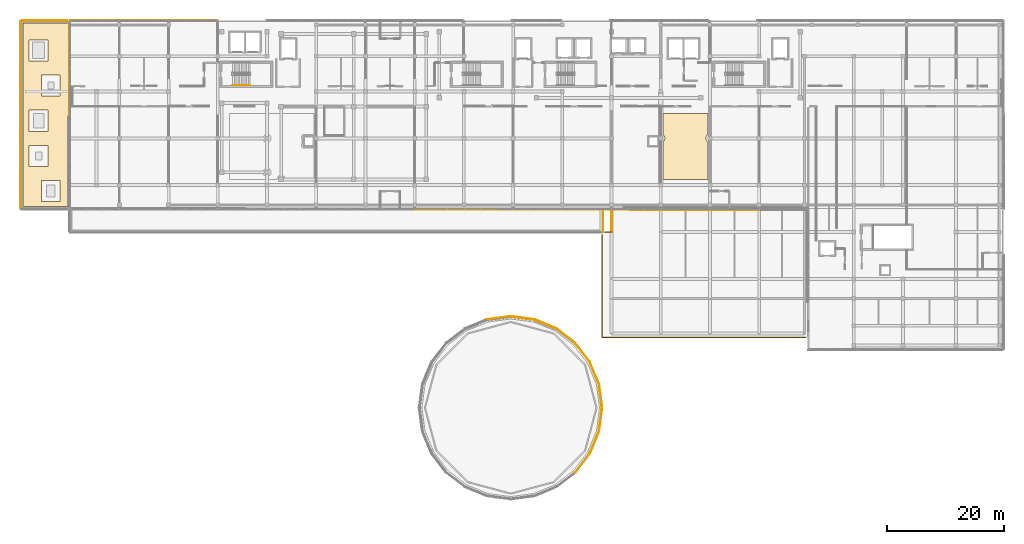
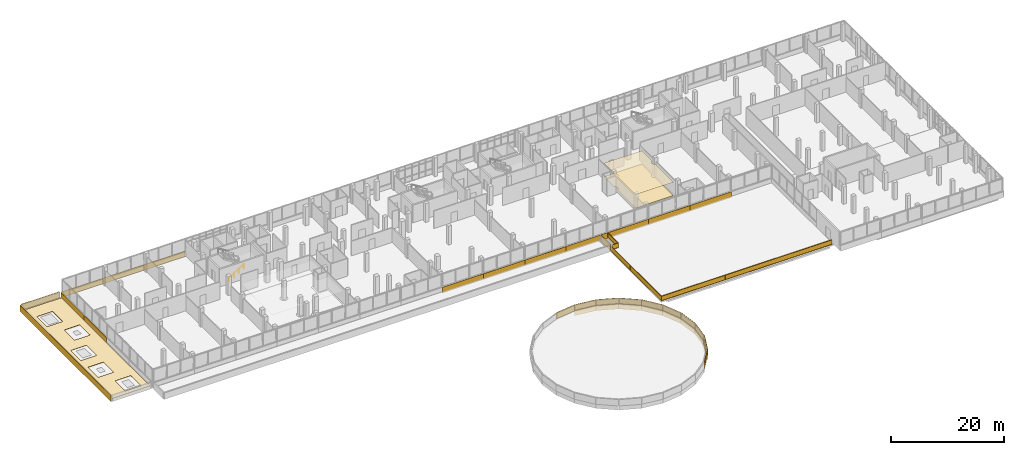
# One storey, part 74 of 78: 36 coverings, 4 railings.
"""IFC4 building model written with IfcOpenShell, lengths in metres."""

from ifc_helpers import new_model, si_unit, direction, frame, origin, origin_2d, place, context, subcontext, project, spatial, polyline, rectangle, circle, outline, extrude, material, layer, layer_set, type_object, element, save


model = new_model("IFC4")

# Units and contexts
model_context = context("Model", 3, precision=1e-05, world=origin(), true_north=direction((0.0, 1.0)))
body_context = subcontext(model_context, "Body", "Model", "MODEL_VIEW")
ifc_project = project(units=[si_unit("LENGTHUNIT", "METRE"), si_unit("AREAUNIT", "SQUARE_METRE"), si_unit("VOLUMEUNIT", "CUBIC_METRE"), si_unit("PLANEANGLEUNIT", "RADIAN"), si_unit("MASSUNIT", "GRAM", prefix="KILO")], contexts=[model_context])

# Site, building, storey
site_placement = place(None, origin())
site = spatial("IfcSite", under=ifc_project, at=site_placement, CompositionType="ELEMENT")
building_placement = place(site_placement, origin())
building = spatial("IfcBuilding", under=site, at=building_placement, Name="Selatvlak General Hospital", CompositionType="ELEMENT")
storey_placement = place(building_placement, frame((0.0, 0.0, 23.25)))
storey = spatial("IfcBuildingStorey", under=building, at=storey_placement, Name="L05", CompositionType="ELEMENT", Elevation=23.25)

# Coverings
ifc_material_1 = material(Name="Acoustic mineral fibre ceiling tile")
ifc_layer_1 = layer(ifc_material_1, 0.02490234375, Name="Acoustic mineral fibre ceiling tile")
ifc_layer_set_1 = layer_set([ifc_layer_1], Name="Acoustic mineral fibre ceiling tile")
covering_type_1 = type_object("IfcCoveringType", Name="COV-CEIL1", PredefinedType="CEILING", material=ifc_layer_set_1)
covering_1_placement = place(storey_placement, frame((0.0, 0.0, 2.875)))
element("IfcCovering", 1, at=covering_1_placement, inside=storey, type_object=covering_type_1, Name="L05 clinical acoustic ceiling 012", PredefinedType="CEILING", context=body_context, shape_type="SweptSolid", body=[
    extrude(outline(polyline([(131.64990234375, 104.199951171875), (131.64990234375, 100.60498046875), (131.611083984375, 100.58203125), (131.555908203125, 100.541015625), (131.5048828125, 100.4951171875), (131.458984375, 100.444091796875), (131.41796875, 100.388916015625), (131.383056640625, 100.330078125), (131.35302734375, 100.26806640625), (131.330078125, 100.202880859375), (131.31298828125, 100.136962890625), (131.302978515625, 100.069091796875), (131.300048828125, 100.0), (131.302978515625, 99.930908203125), (131.31298828125, 99.863037109375), (131.330078125, 99.797119140625), (131.35302734375, 99.73193359375), (131.383056640625, 99.669921875), (131.41796875, 99.611083984375), (131.458984375, 99.555908203125), (131.5048828125, 99.5048828125), (131.555908203125, 99.458984375), (131.611083984375, 99.41796875), (131.64990234375, 99.39501953125), (131.64990234375, 93.0), (123.949951171875, 93.0), (123.949951171875, 99.39501953125), (123.989013671875, 99.41796875), (124.0439453125, 99.458984375), (124.094970703125, 99.5048828125), (124.14111328125, 99.555908203125), (124.181884765625, 99.611083984375), (124.217041015625, 99.669921875), (124.2470703125, 99.73193359375), (124.27001953125, 99.797119140625), (124.287109375, 99.863037109375), (124.297119140625, 99.930908203125), (124.300048828125, 100.0), (124.297119140625, 100.069091796875), (124.287109375, 100.136962890625), (124.27001953125, 100.202880859375), (124.2470703125, 100.26806640625), (124.217041015625, 100.330078125), (124.181884765625, 100.388916015625), (124.14111328125, 100.444091796875), (124.094970703125, 100.4951171875), (124.0439453125, 100.541015625), (123.989013671875, 100.58203125), (123.949951171875, 100.60498046875), (123.949951171875, 104.199951171875), (131.64990234375, 104.199951171875)])), origin(), (0.0, 0.0, 1.0), 0.02490234375),
])
ifc_material_2 = material(Name="Homogeneous anti-static hospital vinyl flooring")
ifc_layer_2 = layer(ifc_material_2, 0.014892578125, Name="Homogeneous anti-static hospital vinyl flooring")
ifc_layer_set_2 = layer_set([ifc_layer_2], Name="Homogeneous anti-static hospital vinyl flooring")
covering_type_2 = type_object("IfcCoveringType", Name="COV-FLR1", PredefinedType="FLOORING", material=ifc_layer_set_2)
covering_2_placement = place(storey_placement, origin())
element("IfcCovering", 2, at=covering_2_placement, inside=storey, type_object=covering_type_2, Name="L05 seamless vinyl flooring 012", PredefinedType="FLOORING", context=body_context, shape_type="SweptSolid", body=[
    extrude(outline(polyline([(131.64990234375, 104.199951171875), (131.64990234375, 100.60498046875), (131.611083984375, 100.58203125), (131.555908203125, 100.541015625), (131.5048828125, 100.4951171875), (131.458984375, 100.444091796875), (131.41796875, 100.388916015625), (131.383056640625, 100.330078125), (131.35302734375, 100.26806640625), (131.330078125, 100.202880859375), (131.31298828125, 100.136962890625), (131.302978515625, 100.069091796875), (131.300048828125, 100.0), (131.302978515625, 99.930908203125), (131.31298828125, 99.863037109375), (131.330078125, 99.797119140625), (131.35302734375, 99.73193359375), (131.383056640625, 99.669921875), (131.41796875, 99.611083984375), (131.458984375, 99.555908203125), (131.5048828125, 99.5048828125), (131.555908203125, 99.458984375), (131.611083984375, 99.41796875), (131.64990234375, 99.39501953125), (131.64990234375, 93.0), (123.949951171875, 93.0), (123.949951171875, 99.39501953125), (123.989013671875, 99.41796875), (124.0439453125, 99.458984375), (124.094970703125, 99.5048828125), (124.14111328125, 99.555908203125), (124.181884765625, 99.611083984375), (124.217041015625, 99.669921875), (124.2470703125, 99.73193359375), (124.27001953125, 99.797119140625), (124.287109375, 99.863037109375), (124.297119140625, 99.930908203125), (124.300048828125, 100.0), (124.297119140625, 100.069091796875), (124.287109375, 100.136962890625), (124.27001953125, 100.202880859375), (124.2470703125, 100.26806640625), (124.217041015625, 100.330078125), (124.181884765625, 100.388916015625), (124.14111328125, 100.444091796875), (124.094970703125, 100.4951171875), (124.0439453125, 100.541015625), (123.989013671875, 100.58203125), (123.949951171875, 100.60498046875), (123.949951171875, 104.199951171875), (131.64990234375, 104.199951171875)])), origin(), (0.0, 0.0, 1.0), 0.014892578125),
])
ifc_material_3 = material(Name="Insulated TPO roofing membrane")
ifc_layer_3 = layer(ifc_material_3, 0.06005859375, Name="Insulated TPO roofing membrane")
ifc_layer_set_3 = layer_set([ifc_layer_3], Name="Insulated TPO roofing membrane")
covering_type_3 = type_object("IfcCoveringType", Name="COV-RF1", PredefinedType="ROOFING", material=ifc_layer_set_3)
covering_3_placement = place(storey_placement, frame((0.0, 0.0, 0.050048828125)))
element("IfcCovering", 3, at=covering_3_placement, inside=storey, type_object=covering_type_3, Name="L05 insulated TPO roof membrane 05", PredefinedType="ROOFING", context=body_context, shape_type="SweptSolid", body=[
    extrude(outline(polyline([(14.75, 119.64990234375), (22.44189453125, 119.64990234375), (22.44189453125, 88.35009765625), (14.75, 88.35009765625), (14.75, 119.64990234375)]), holes=[polyline([(21.10009765625, 92.800048828125), (17.89990234375, 92.800048828125), (17.89990234375, 89.199951171875), (21.10009765625, 89.199951171875), (21.10009765625, 92.800048828125)]), polyline([(19.0, 95.199951171875), (19.0, 98.800048828125), (15.800048828125, 98.800048828125), (15.800048828125, 95.199951171875), (19.0, 95.199951171875)]), polyline([(15.800048828125, 101.199951171875), (19.0, 101.199951171875), (19.0, 104.800048828125), (15.800048828125, 104.800048828125), (15.800048828125, 101.199951171875)]), polyline([(17.89990234375, 110.800048828125), (17.89990234375, 107.199951171875), (21.10009765625, 107.199951171875), (21.10009765625, 110.800048828125), (17.89990234375, 110.800048828125)]), polyline([(19.0, 116.800048828125), (15.800048828125, 116.800048828125), (15.800048828125, 113.199951171875), (19.0, 113.199951171875), (19.0, 116.800048828125)])]), origin(), (0.0, 0.0, 1.0), 0.06005859375),
])
ifc_material_4 = material(Name="White Bauhaus fair-faced cladding panel")
ifc_layer_4 = layer(ifc_material_4, 0.054931640625, Name="White Bauhaus fair-faced cladding panel")
ifc_layer_set_4 = layer_set([ifc_layer_4], Name="White Bauhaus fair-faced cladding panel")
covering_type_4 = type_object("IfcCoveringType", Name="COV-WHT1", PredefinedType="CLADDING", material=ifc_layer_set_4)
for number, where, z_axis, x_axis, name in (
    (4, (113.27587890625, 51.989013671875, 0.199951171875), (0.0, 0.0, 1.0), (-0.130508888223, -0.991447139335, 0.0), "L05 Rotunda crown white cornice ring 0350"),
    (5, (112.235107421875, 48.10498046875, 0.199951171875), (0.0, 0.0, 1.0), (-0.382618932474, -0.923906246603, 0.0), "L05 Rotunda crown white cornice ring 0352"),
):
    element("IfcCovering", number, at=place(storey_placement, frame(where, z_axis=z_axis, x_axis=x_axis)), inside=storey, type_object=covering_type_4, Name=name, PredefinedType="CLADDING", context=body_context, shape_type="SweptSolid", body=[
        extrude(rectangle(XDim=4.0458984375, YDim=0.054931640625, at=origin_2d()), origin(), (0.0, 0.0, 1.0), 1.14990234375),
    ])
covering_4_placement = place(storey_placement, frame((100.010009765625, 69.27587890625, 0.199951171875), z_axis=(0.0, 0.0, 1.0), x_axis=(0.99145169435, -0.13047428011, 0.0)))
element("IfcCovering", 6, at=covering_4_placement, inside=storey, type_object=covering_type_4, Name="L05 Rotunda crown white cornice ring 0386", PredefinedType="CLADDING", context=body_context, shape_type="SweptSolid", body=[
    extrude(rectangle(XDim=4.047119140625, YDim=0.054931640625, at=origin_2d()), origin(), (0.0, 0.0, 1.0), 1.14990234375),
])
for number, where, z_axis, x_axis, name in (
    (7, (103.89501953125, 68.235107421875, 0.199951171875), (0.0, 0.0, 1.0), (0.923906246603, -0.382618932474, 0.0), "L05 Rotunda crown white cornice ring 0388"),
    (8, (107.3779296875, 66.22412109375, 0.199951171875), (0.0, 0.0, 1.0), (0.793363965062, -0.608747582288, 0.0), "L05 Rotunda crown white cornice ring 0390"),
    (9, (110.221923828125, 63.3798828125, 0.199951171875), (0.0, 0.0, 1.0), (0.608747582288, -0.793363965062, 0.0), "L05 Rotunda crown white cornice ring 0392"),
    (10, (112.23291015625, 59.89697265625, 0.199951171875), (0.0, 0.0, 1.0), (0.382828550301, -0.923819409341, 0.0), "L05 Rotunda crown white cornice ring 0394"),
):
    element("IfcCovering", number, at=place(storey_placement, frame(where, z_axis=z_axis, x_axis=x_axis)), inside=storey, type_object=covering_type_4, Name=name, PredefinedType="CLADDING", context=body_context, shape_type="SweptSolid", body=[
        extrude(rectangle(XDim=4.0458984375, YDim=0.054931640625, at=origin_2d()), origin(), (0.0, 0.0, 1.0), 1.14990234375),
    ])
covering_5_placement = place(storey_placement, frame((113.27490234375, 56.011962890625, 0.199951171875), z_axis=(0.0, 0.0, 1.0), x_axis=(0.130699230003, -0.991422065155, 0.0)))
element("IfcCovering", 11, at=covering_5_placement, inside=storey, type_object=covering_type_4, Name="L05 Rotunda crown white cornice ring 0396", PredefinedType="CLADDING", context=body_context, shape_type="SweptSolid", body=[
    extrude(rectangle(XDim=4.048095703125, YDim=0.054931640625, at=origin_2d()), origin(), (0.0, 0.0, 1.0), 1.14990234375),
])
for number, where, z_axis, x_axis, name in (
    (12, (22.635009765625, 107.9990234375, -0.27978515625), (0.0, 0.0, 1.0), (0.0, 1.0, 0.0), "L05 Bauhaus horizontal white spandrel band 0399"),
    (13, (22.635009765625, 115.9990234375, -0.27978515625), (0.0, 0.0, 1.0), (0.0, 1.0, 0.0), "L05 Bauhaus horizontal white spandrel band 0400"),
):
    element("IfcCovering", number, at=place(storey_placement, frame(where, z_axis=z_axis, x_axis=x_axis)), inside=storey, type_object=covering_type_4, Name=name, PredefinedType="CLADDING", context=body_context, shape_type="SweptSolid", body=[
        extrude(rectangle(XDim=8.0, YDim=0.054931640625, at=origin_2d()), origin(), (0.0, 0.0, 1.0), 1.219970703125),
    ])
for number, where, z_axis, x_axis, name in (
    (14, (26.989013671875, 120.1640625, -0.27978515625), (0.0, 0.0, 1.0), (1.0, 0.0, 0.0), "L05 Bauhaus horizontal white spandrel band 0401"),
    (15, (35.367919921875, 120.1640625, -0.27978515625), (0.0, 0.0, 1.0), (1.0, 0.0, 0.0), "L05 Bauhaus horizontal white spandrel band 0402"),
    (16, (43.748046875, 120.1640625, -0.27978515625), (0.0, 0.0, 1.0), (1.0, 0.0, 0.0), "L05 Bauhaus horizontal white spandrel band 0403"),
):
    element("IfcCovering", number, at=place(storey_placement, frame(where, z_axis=z_axis, x_axis=x_axis)), inside=storey, type_object=covering_type_4, Name=name, PredefinedType="CLADDING", context=body_context, shape_type="SweptSolid", body=[
        extrude(rectangle(XDim=8.37890625, YDim=0.054931640625, at=origin_2d()), origin(), (0.0, 0.0, 1.0), 1.219970703125),
    ])
for number, where, z_axis, x_axis, name in (
    (17, (136.199951171875, 87.781005859375, -0.27978515625), (0.0, 0.0, 1.0), (-0.999999888967, 0.000471238881, 0.0), "L05 Bauhaus horizontal white spandrel band 0434"),
    (18, (127.800048828125, 87.784912109375, -0.27978515625), (0.0, 0.0, 1.0), (-0.999999888967, 0.000471238881, 0.0), "L05 Bauhaus horizontal white spandrel band 0435"),
    (19, (119.39990234375, 87.7890625, -0.27978515625), (0.0, 0.0, 1.0), (-0.999999888967, 0.000471238881, 0.0), "L05 Bauhaus horizontal white spandrel band 0436"),
    (20, (111.0, 87.79296875, -0.27978515625), (0.0, 0.0, 1.0), (-0.999999888967, 0.000471238881, 0.0), "L05 Bauhaus horizontal white spandrel band 0437"),
    (21, (102.60009765625, 87.797119140625, -0.27978515625), (0.0, 0.0, 1.0), (-0.999999888967, 0.000471238881, 0.0), "L05 Bauhaus horizontal white spandrel band 0438"),
    (22, (94.199951171875, 87.801025390625, -0.27978515625), (0.0, 0.0, 1.0), (-0.999999888967, 0.000471238881, 0.0), "L05 Bauhaus horizontal white spandrel band 0439"),
    (23, (85.800048828125, 87.804931640625, -0.27978515625), (0.0, 0.0, 1.0), (-0.999999888967, 0.000471238881, 0.0), "L05 Bauhaus horizontal white spandrel band 0440"),
):
    element("IfcCovering", number, at=place(storey_placement, frame(where, z_axis=z_axis, x_axis=x_axis)), inside=storey, type_object=covering_type_4, Name=name, PredefinedType="CLADDING", context=body_context, shape_type="SweptSolid", body=[
        extrude(rectangle(XDim=8.39990234375, YDim=0.054931640625, at=origin_2d()), origin(), (0.0, 0.0, 1.0), 1.219970703125),
    ])
covering_6_placement = place(storey_placement, frame((14.264892578125, 104.0, -0.170166015625), z_axis=(0.0, 0.0, 1.0), x_axis=(0.0, 1.0, 0.0)))
element("IfcCovering", 24, at=covering_6_placement, inside=storey, type_object=covering_type_4, Name="L05 Roof parapet white Bauhaus coping 0646", PredefinedType="CLADDING", context=body_context, shape_type="SweptSolid", body=[
    extrude(rectangle(XDim=32.0, YDim=0.054931640625, at=origin_2d()), origin(), (0.0, 0.0, 1.0), 1.3701171875),
])
covering_7_placement = place(storey_placement, frame((18.429931640625, 120.125, -0.170166015625), z_axis=(0.0, 0.0, 1.0), x_axis=(1.0, 0.0, 0.0)))
element("IfcCovering", 25, at=covering_7_placement, inside=storey, type_object=covering_type_4, Name="L05 Roof parapet white Bauhaus coping 0647", PredefinedType="CLADDING", context=body_context, shape_type="SweptSolid", body=[
    extrude(rectangle(XDim=7.822998046875, YDim=0.054931640625, at=origin_2d()), origin(), (0.0, 0.0, 1.0), 1.3701171875),
])
covering_8_placement = place(storey_placement, frame((113.719970703125, 85.739013671875, -0.170166015625), z_axis=(0.0, 0.0, 1.0), x_axis=(0.0, -1.0, 0.0)))
element("IfcCovering", 26, at=covering_8_placement, inside=storey, type_object=covering_type_4, Name="L05 Roof parapet white Bauhaus coping 0649", PredefinedType="CLADDING", context=body_context, shape_type="SweptSolid", body=[
    extrude(rectangle(XDim=3.47705078125, YDim=0.054931640625, at=origin_2d()), origin(), (0.0, 0.0, 1.0), 1.3701171875),
])
covering_9_placement = place(storey_placement, frame((113.3701171875, 56.02392578125, 1.1298828125), z_axis=(0.0, 0.0, 1.0), x_axis=(-0.13047428011, 0.99145169435, 0.0)))
element("IfcCovering", 27, at=covering_9_placement, inside=storey, type_object=covering_type_4, Name="L05 Roof parapet white Bauhaus coping 0656", PredefinedType="CLADDING", context=body_context, shape_type="SweptSolid", body=[
    extrude(rectangle(XDim=4.047119140625, YDim=0.054931640625, at=origin_2d()), origin(), (0.0, 0.0, 1.0), 1.3701171875),
])
for number, where, z_axis, x_axis, name in (
    (28, (112.31298828125, 59.928955078125, 1.1298828125), (0.0, 0.0, 1.0), (-0.382828550301, 0.923819409341, 0.0), "L05 Roof parapet white Bauhaus coping 0657"),
    (29, (110.299072265625, 63.43701171875, 1.1298828125), (0.0, 0.0, 1.0), (-0.608747582288, 0.793363965062, 0.0), "L05 Roof parapet white Bauhaus coping 0658"),
    (30, (107.430908203125, 66.291015625, 1.1298828125), (0.0, 0.0, 1.0), (-0.793363965062, 0.608747582288, 0.0), "L05 Roof parapet white Bauhaus coping 0659"),
    (31, (103.93310546875, 68.322021484375, 1.1298828125), (0.0, 0.0, 1.0), (-0.923819409341, 0.382828550301, 0.0), "L05 Roof parapet white Bauhaus coping 0660"),
):
    element("IfcCovering", number, at=place(storey_placement, frame(where, z_axis=z_axis, x_axis=x_axis)), inside=storey, type_object=covering_type_4, Name=name, PredefinedType="CLADDING", context=body_context, shape_type="SweptSolid", body=[
        extrude(rectangle(XDim=4.0458984375, YDim=0.054931640625, at=origin_2d()), origin(), (0.0, 0.0, 1.0), 1.3701171875),
    ])
for number, where, z_axis, x_axis, name in (
    (32, (100.02197265625, 69.360107421875, 1.1298828125), (0.0, 0.0, 1.0), (-0.99145169435, 0.13047428011, 0.0), "L05 Roof parapet white Bauhaus coping 0661"),
    (33, (95.97607421875, 69.3701171875, 1.1298828125), (0.0, 0.0, 1.0), (-0.99145169435, -0.13047428011, 0.0), "L05 Roof parapet white Bauhaus coping 0662"),
):
    element("IfcCovering", number, at=place(storey_placement, frame(where, z_axis=z_axis, x_axis=x_axis)), inside=storey, type_object=covering_type_4, Name=name, PredefinedType="CLADDING", context=body_context, shape_type="SweptSolid", body=[
        extrude(rectangle(XDim=4.047119140625, YDim=0.054931640625, at=origin_2d()), origin(), (0.0, 0.0, 1.0), 1.3701171875),
    ])
for number, where, z_axis, x_axis, name in (
    (34, (110.291015625, 44.569091796875, 1.1298828125), (0.0, 0.0, 1.0), (0.608747582288, 0.793363965062, 0.0), "L05 Roof parapet white Bauhaus coping 0677"),
    (35, (112.322021484375, 48.06689453125, 1.1298828125), (0.0, 0.0, 1.0), (0.382828550301, 0.923819409341, 0.0), "L05 Roof parapet white Bauhaus coping 0678"),
):
    element("IfcCovering", number, at=place(storey_placement, frame(where, z_axis=z_axis, x_axis=x_axis)), inside=storey, type_object=covering_type_4, Name=name, PredefinedType="CLADDING", context=body_context, shape_type="SweptSolid", body=[
        extrude(rectangle(XDim=4.0458984375, YDim=0.054931640625, at=origin_2d()), origin(), (0.0, 0.0, 1.0), 1.3701171875),
    ])
covering_10_placement = place(storey_placement, frame((113.360107421875, 51.97802734375, 1.1298828125), z_axis=(0.0, 0.0, 1.0), x_axis=(0.13047428011, 0.99145169435, 0.0)))
element("IfcCovering", 36, at=covering_10_placement, inside=storey, type_object=covering_type_4, Name="L05 Roof parapet white Bauhaus coping 0679", PredefinedType="CLADDING", context=body_context, shape_type="SweptSolid", body=[
    extrude(rectangle(XDim=4.047119140625, YDim=0.054931640625, at=origin_2d()), origin(), (0.0, 0.0, 1.0), 1.3701171875),
])

# Railings
ifc_material_5 = material(Name="Stainless steel 316 safety balustrade", Category="steel")
railing_type_1 = type_object("IfcRailingType", Name="RAIL-BAL1", PredefinedType="BALUSTRADE", material=ifc_material_5)
railing_1_placement = place(storey_placement, frame((115.2041015625, 83.992919921875, 0.0)))
element("IfcRailing", 37, at=railing_1_placement, inside=storey, type_object=railing_type_1, Name="L05 continuous terrace guardrail 0030", PredefinedType="BALUSTRADE", context=body_context, shape_type="SweptSolid", body=[
    extrude(rectangle(XDim=0.068115234375, YDim=0.068115234375, at=origin_2d()), frame((0.0, 0.0029296875, 1.0859375), z_axis=(0.000841101546, 0.999999646274, 0.0), x_axis=(-0.999999646274, 0.000841101546, 0.0)), (0.0, 0.0, 1.0), 3.477294921875),
    extrude(rectangle(XDim=0.068115234375, YDim=0.068115234375, at=origin_2d()), frame((0.0, 0.0029296875, 0.049072265625), z_axis=(0.000841101546, 0.999999646274, 0.0), x_axis=(-0.999999646274, 0.000841101546, 0.0)), (0.0, 0.0, 1.0), 3.477294921875),
    extrude(outline(polyline([(0.0, 0.0), (3.47119140625, 0.0), (3.47119140625, 0.94189453125), (0.0, 0.94189453125), (0.0, 0.0)])), frame((-0.01806640625, 0.006103515625, 0.0849609375), z_axis=(0.999999646274, -0.000841101546, 0.0), x_axis=(0.000841101546, 0.999999646274, 0.0)), (0.0, 0.0, 1.0), 0.031982421875),
    extrude(rectangle(XDim=0.055908203125, YDim=0.055908203125, at=origin_2d()), origin(), (0.0, 0.0, 1.0), 1.049072265625),
    extrude(rectangle(XDim=0.055908203125, YDim=0.055908203125, at=origin_2d()), frame((0.00146484375, 1.74169921875, 0.0)), (0.0, 0.0, 1.0), 1.049072265625),
    extrude(rectangle(XDim=0.055908203125, YDim=0.055908203125, at=origin_2d()), frame((0.0029296875, 3.483154296875, 0.0)), (0.0, 0.0, 1.0), 1.049072265625),
])
railing_2_placement = place(storey_placement, frame((148.321044921875, 66.0, 0.0)))
element("IfcRailing", 38, at=railing_2_placement, inside=storey, type_object=railing_type_1, Name="L05 continuous terrace guardrail 0031", PredefinedType="BALUSTRADE", context=body_context, shape_type="SweptSolid", body=[
    extrude(rectangle(XDim=0.068115234375, YDim=0.068115234375, at=origin_2d()), frame((-0.0029296875, 0.0, 1.0859375), z_axis=(-1.0, 0.0, 0.0), x_axis=(0.0, -1.0, 0.0)), (0.0, 0.0, 1.0), 34.710205078125),
    extrude(rectangle(XDim=0.068115234375, YDim=0.068115234375, at=origin_2d()), frame((-0.0029296875, 0.0, 0.049072265625), z_axis=(-1.0, 0.0, 0.0), x_axis=(0.0, -1.0, 0.0)), (0.0, 0.0, 1.0), 34.710205078125),
    extrude(outline(polyline([(0.0, 0.0), (34.7041015625, 0.0), (34.7041015625, 0.94189453125), (0.0, 0.94189453125), (0.0, 0.0)])), frame((-0.006103515625, -0.01806640625, 0.0849609375), z_axis=(0.0, 1.0, 0.0), x_axis=(-1.0, 0.0, 0.0)), (0.0, 0.0, 1.0), 0.031982421875),
    extrude(rectangle(XDim=0.068115234375, YDim=0.068115234375, at=origin_2d()), frame((-34.716064453125, 0.0029296875, 1.0859375), z_axis=(0.0, 1.0, 0.0), x_axis=(-1.0, 0.0, 0.0)), (0.0, 0.0, 1.0), 17.51416015625),
    extrude(rectangle(XDim=0.068115234375, YDim=0.068115234375, at=origin_2d()), frame((-34.716064453125, 0.0029296875, 0.049072265625), z_axis=(0.0, 1.0, 0.0), x_axis=(-1.0, 0.0, 0.0)), (0.0, 0.0, 1.0), 17.51416015625),
    extrude(outline(polyline([(0.0, 0.0), (17.508056640625, 0.0), (17.508056640625, 0.94189453125), (0.0, 0.94189453125), (0.0, 0.0)])), frame((-34.734130859375, 0.006103515625, 0.0849609375), z_axis=(1.0, 0.0, 0.0), x_axis=(0.0, 1.0, 0.0)), (0.0, 0.0, 1.0), 0.031982421875),
    extrude(rectangle(XDim=0.055908203125, YDim=0.055908203125, at=origin_2d()), origin(), (0.0, 0.0, 1.0), 1.049072265625),
    extrude(rectangle(XDim=0.055908203125, YDim=0.055908203125, at=origin_2d()), frame((-2.169677734375, 0.0, 0.0)), (0.0, 0.0, 1.0), 1.049072265625),
    extrude(rectangle(XDim=0.055908203125, YDim=0.055908203125, at=origin_2d()), frame((-4.339599609375, 0.0, 0.0)), (0.0, 0.0, 1.0), 1.049072265625),
    extrude(rectangle(XDim=0.055908203125, YDim=0.055908203125, at=origin_2d()), frame((-6.50927734375, 0.0, 0.0)), (0.0, 0.0, 1.0), 1.049072265625),
    extrude(rectangle(XDim=0.055908203125, YDim=0.055908203125, at=origin_2d()), frame((-8.678955078125, 0.0, 0.0)), (0.0, 0.0, 1.0), 1.049072265625),
    extrude(rectangle(XDim=0.055908203125, YDim=0.055908203125, at=origin_2d()), frame((-10.848876953125, 0.0, 0.0)), (0.0, 0.0, 1.0), 1.049072265625),
    extrude(rectangle(XDim=0.055908203125, YDim=0.055908203125, at=origin_2d()), frame((-13.0185546875, 0.0, 0.0)), (0.0, 0.0, 1.0), 1.049072265625),
    extrude(rectangle(XDim=0.055908203125, YDim=0.055908203125, at=origin_2d()), frame((-15.188232421875, 0.0, 0.0)), (0.0, 0.0, 1.0), 1.049072265625),
    extrude(rectangle(XDim=0.055908203125, YDim=0.055908203125, at=origin_2d()), frame((-17.35791015625, 0.0, 0.0)), (0.0, 0.0, 1.0), 1.049072265625),
    extrude(rectangle(XDim=0.055908203125, YDim=0.055908203125, at=origin_2d()), frame((-19.52783203125, 0.0, 0.0)), (0.0, 0.0, 1.0), 1.049072265625),
    extrude(rectangle(XDim=0.055908203125, YDim=0.055908203125, at=origin_2d()), frame((-21.697509765625, 0.0, 0.0)), (0.0, 0.0, 1.0), 1.049072265625),
    extrude(rectangle(XDim=0.055908203125, YDim=0.055908203125, at=origin_2d()), frame((-23.8671875, 0.0, 0.0)), (0.0, 0.0, 1.0), 1.049072265625),
    extrude(rectangle(XDim=0.055908203125, YDim=0.055908203125, at=origin_2d()), frame((-26.037109375, 0.0, 0.0)), (0.0, 0.0, 1.0), 1.049072265625),
    extrude(rectangle(XDim=0.055908203125, YDim=0.055908203125, at=origin_2d()), frame((-28.206787109375, 0.0, 0.0)), (0.0, 0.0, 1.0), 1.049072265625),
    extrude(rectangle(XDim=0.055908203125, YDim=0.055908203125, at=origin_2d()), frame((-30.37646484375, 0.0, 0.0)), (0.0, 0.0, 1.0), 1.049072265625),
    extrude(rectangle(XDim=0.055908203125, YDim=0.055908203125, at=origin_2d()), frame((-32.54638671875, 0.0, 0.0)), (0.0, 0.0, 1.0), 1.049072265625),
    extrude(rectangle(XDim=0.055908203125, YDim=0.055908203125, at=origin_2d()), frame((-34.716064453125, 0.0, 0.0)), (0.0, 0.0, 1.0), 1.049072265625),
    extrude(rectangle(XDim=0.055908203125, YDim=0.055908203125, at=origin_2d()), frame((-34.716064453125, 2.18994140625, 0.0)), (0.0, 0.0, 1.0), 1.049072265625),
    extrude(rectangle(XDim=0.055908203125, YDim=0.055908203125, at=origin_2d()), frame((-34.716064453125, 4.3798828125, 0.0)), (0.0, 0.0, 1.0), 1.049072265625),
    extrude(rectangle(XDim=0.055908203125, YDim=0.055908203125, at=origin_2d()), frame((-34.716064453125, 6.570068359375, 0.0)), (0.0, 0.0, 1.0), 1.049072265625),
    extrude(rectangle(XDim=0.055908203125, YDim=0.055908203125, at=origin_2d()), frame((-34.716064453125, 8.760009765625, 0.0)), (0.0, 0.0, 1.0), 1.049072265625),
    extrude(rectangle(XDim=0.055908203125, YDim=0.055908203125, at=origin_2d()), frame((-34.716064453125, 10.949951171875, 0.0)), (0.0, 0.0, 1.0), 1.049072265625),
    extrude(rectangle(XDim=0.055908203125, YDim=0.055908203125, at=origin_2d()), frame((-34.716064453125, 13.14013671875, 0.0)), (0.0, 0.0, 1.0), 1.049072265625),
    extrude(rectangle(XDim=0.055908203125, YDim=0.055908203125, at=origin_2d()), frame((-34.716064453125, 15.330078125, 0.0)), (0.0, 0.0, 1.0), 1.049072265625),
    extrude(rectangle(XDim=0.055908203125, YDim=0.055908203125, at=origin_2d()), frame((-34.716064453125, 17.52001953125, 0.0)), (0.0, 0.0, 1.0), 1.049072265625),
])
railing_3_placement = place(storey_placement, frame((114.074951171875, 83.991943359375, 0.0)))
element("IfcRailing", 39, at=railing_3_placement, inside=storey, type_object=railing_type_1, Name="L05 continuous terrace guardrail 0032", PredefinedType="BALUSTRADE", context=body_context, shape_type="SweptSolid", body=[
    extrude(rectangle(XDim=0.068115234375, YDim=0.068115234375, at=origin_2d()), frame((0.0029296875, 0.0, 1.0859375), z_axis=(0.999999626005, 0.000864864541, 0.0), x_axis=(-0.000864864541, 0.999999626005, 0.0)), (0.0, 0.0, 1.0), 1.123291015625),
    extrude(rectangle(XDim=0.068115234375, YDim=0.068115234375, at=origin_2d()), frame((0.0029296875, 0.0, 0.049072265625), z_axis=(0.999999626005, 0.000864864541, 0.0), x_axis=(-0.000864864541, 0.999999626005, 0.0)), (0.0, 0.0, 1.0), 1.123291015625),
    extrude(outline(polyline([(0.0, 0.0), (1.1171875, 0.0), (1.1171875, 0.94189453125), (0.0, 0.94189453125), (0.0, 0.0)])), frame((0.006103515625, 0.01806640625, 0.0849609375), z_axis=(0.000864864541, -0.999999626005, 0.0), x_axis=(0.999999626005, 0.000864864541, 0.0)), (0.0, 0.0, 1.0), 0.031982421875),
    extrude(rectangle(XDim=0.055908203125, YDim=0.055908203125, at=origin_2d()), origin(), (0.0, 0.0, 1.0), 1.049072265625),
    extrude(rectangle(XDim=0.055908203125, YDim=0.055908203125, at=origin_2d()), frame((1.129150390625, 0.0009765625, 0.0)), (0.0, 0.0, 1.0), 1.049072265625),
])
ifc_material_6 = material(Name="Stainless steel 316 handrail", Category="steel")
railing_type_2 = type_object("IfcRailingType", Name="RAIL-STH", PredefinedType="HANDRAIL", material=ifc_material_6)
railing_4_placement = place(storey_placement, frame((50.510009765625, 109.050048828125, 0.18408203125)))
element("IfcRailing", 40, at=railing_4_placement, inside=storey, type_object=railing_type_2, Name="L05 ST-01 stair handrail 1", PredefinedType="HANDRAIL", context=body_context, shape_type="SweptSolid", body=[
    extrude(circle(Radius=0.02392578125, at=origin_2d()), frame((0.00244140625, 0.0, 0.87744140625), z_axis=(0.852333972304, 0.0, 0.522997896417), x_axis=(0.0, 1.0, 0.0)), (0.0, 0.0, 1.0), 3.513916015625),
    extrude(circle(Radius=0.02099609375, at=origin_2d()), origin(), (0.0, 0.0, 1.0), 0.848876953125),
    extrude(circle(Radius=0.02099609375, at=origin_2d()), frame((1.0, 0.0, 0.613525390625)), (0.0, 0.0, 1.0), 0.848876953125),
    extrude(circle(Radius=0.02099609375, at=origin_2d()), frame((2.0, 0.0, 1.227294921875)), (0.0, 0.0, 1.0), 0.848876953125),
    extrude(circle(Radius=0.02099609375, at=origin_2d()), frame((3.0, 0.0, 1.8408203125)), (0.0, 0.0, 1.0), 0.848876953125),
])

save(model, "model.ifc")
